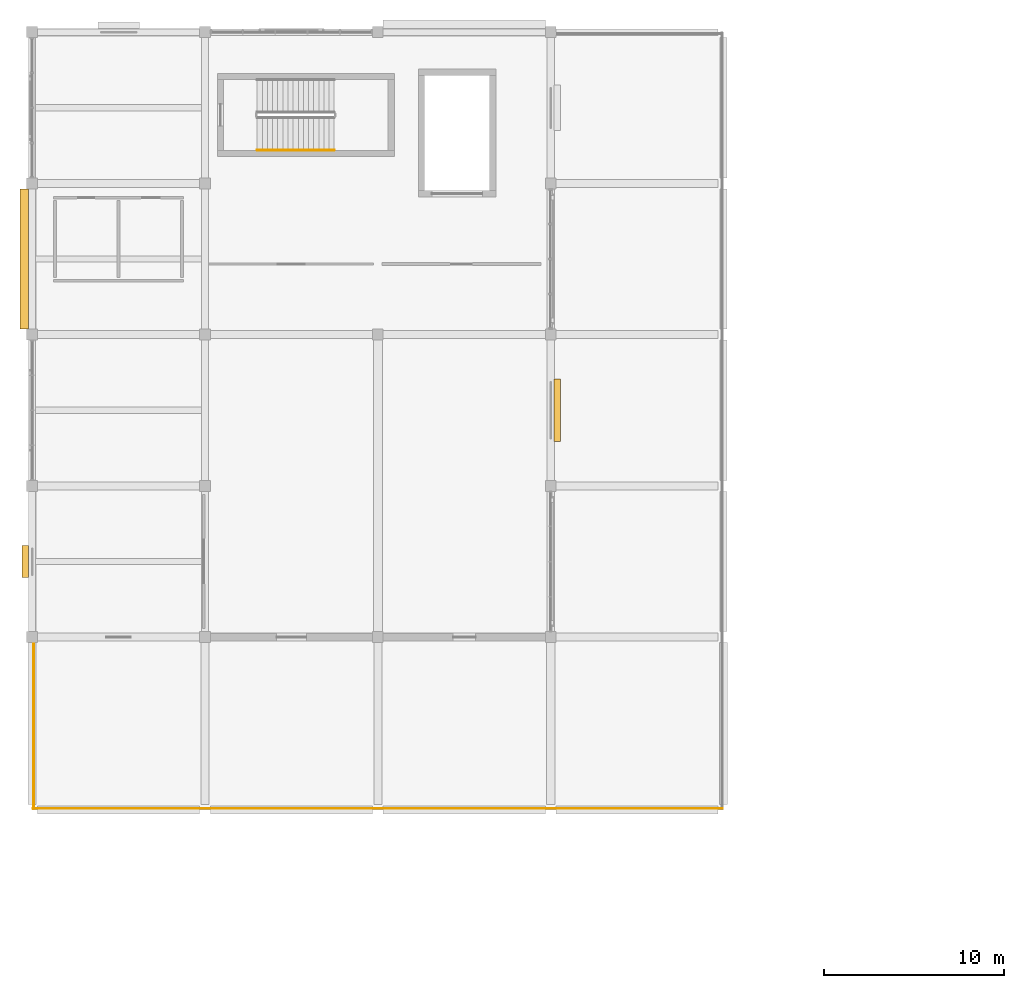
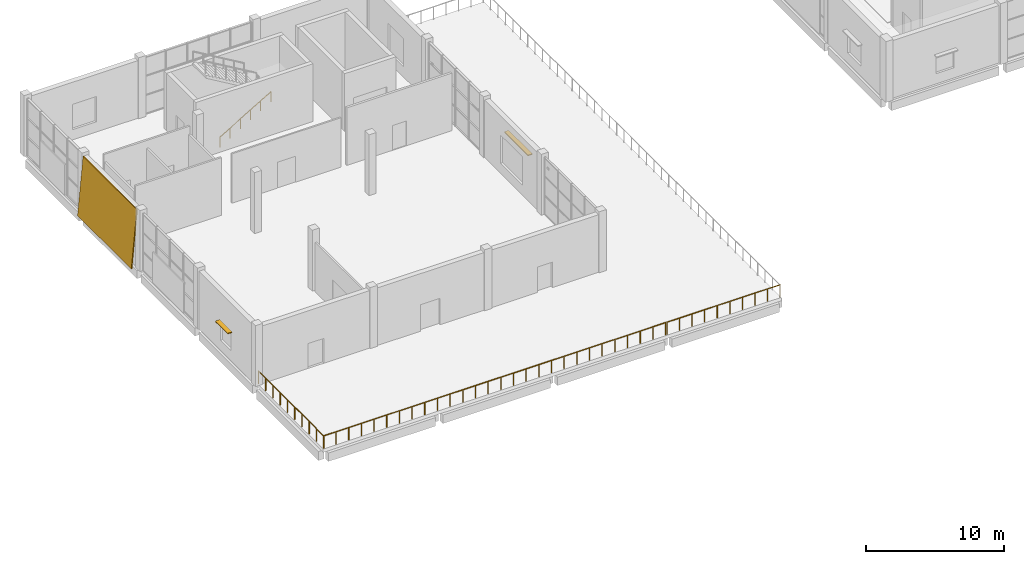
# One storey, part 61 of 72: 4 railings, 2 shading devices, 1 covering.
"""IFC4 building model written with IfcOpenShell, lengths in metres."""

from ifc_helpers import new_model, si_unit, direction, frame, origin, origin_2d, place, context, subcontext, project, spatial, polyline, rectangle, circle, outline, extrude, material, layer, layer_set, type_object, element, save


model = new_model("IFC4")

# Units and contexts
model_context = context("Model", 3, precision=1e-05, world=origin(), true_north=direction((0.0, 1.0)))
body_context = subcontext(model_context, "Body", "Model", "MODEL_VIEW")
ifc_project = project(units=[si_unit("LENGTHUNIT", "METRE"), si_unit("AREAUNIT", "SQUARE_METRE"), si_unit("VOLUMEUNIT", "CUBIC_METRE"), si_unit("PLANEANGLEUNIT", "RADIAN"), si_unit("MASSUNIT", "GRAM", prefix="KILO")], contexts=[model_context])

# Site, building, storey
site_placement = place(None, origin())
site = spatial("IfcSite", under=ifc_project, at=site_placement, CompositionType="ELEMENT")
building_placement = place(site_placement, origin())
building = spatial("IfcBuilding", under=site, at=building_placement, Name="Shalvenor Court Art Gallery", CompositionType="ELEMENT")
storey_placement = place(building_placement, frame((0.0, 0.0, 11.39990234375)))
storey = spatial("IfcBuildingStorey", under=building, at=storey_placement, Name="L02", CompositionType="ELEMENT", Elevation=11.39990234375)

# Covering
ifc_material_1 = material(Name="Honed Jerusalem limestone cladding", Category="masonry")
ifc_layer = layer(ifc_material_1, 0.06494140625, Name="Honed Jerusalem limestone cladding")
ifc_layer_set = layer_set([ifc_layer], Name="Honed Jerusalem limestone cladding")
covering_type = type_object("IfcCoveringType", Name="CLD-02", PredefinedType="CLADDING", material=ifc_layer_set)
covering_placement = place(storey_placement, frame((-0.674072265625, 113.699951171875, 0.0), z_axis=(0.0, 0.0, 1.0), x_axis=(0.0, -1.0, 0.0)))
element("IfcCovering", 1, at=covering_placement, inside=storey, type_object=covering_type, Name="L02 V5 Tapered Limestone Cladding 107", PredefinedType="CLADDING", context=body_context, shape_type="SweptSolid", body=[
    extrude(outline(polyline([(0.0, 0.0), (7.800048828125, 0.0), (7.800048828125, 5.12109375), (0.0, 5.12109375), (0.0, 0.0)])), frame((0.0, 0.0, 0.0), z_axis=(0.0, -0.995884398616, 0.090632580198), x_axis=(1.0, 0.0, 0.0)), (0.0, 0.090632580198, -0.995884398616), 0.080322265625),
])

# Railings
ifc_material_2 = material(Name="Stainless steel and laminated glass balustrade", Category="steel")
railing_type_1 = type_object("IfcRailingType", Name="GR-01", PredefinedType="BALUSTRADE", material=ifc_material_2)
railing_1_placement = place(storey_placement, frame((0.080078125, 79.260009765625, 0.0)))
element("IfcRailing", 2, at=railing_1_placement, inside=storey, type_object=railing_type_1, Name="L02 V5 Terrace Balustrade 51", PredefinedType="BALUSTRADE", context=body_context, shape_type="SweptSolid", body=[
    extrude(circle(Radius=0.02392578125, at=origin_2d()), frame((0.0, 0.0, 1.09619140625), z_axis=(0.0, 1.0, 0.0), x_axis=(-1.0, 0.0, 0.0)), (0.0, 0.0, 1.0), 9.47998046875),
    extrude(circle(Radius=0.02099609375, at=origin_2d()), origin(), (0.0, 0.0, 1.0), 1.072021484375),
    extrude(circle(Radius=0.02099609375, at=origin_2d()), frame((0.0, 1.05322265625, 0.0)), (0.0, 0.0, 1.0), 1.072021484375),
    extrude(circle(Radius=0.02099609375, at=origin_2d()), frame((0.0, 2.106689453125, 0.0)), (0.0, 0.0, 1.0), 1.072021484375),
    extrude(circle(Radius=0.02099609375, at=origin_2d()), frame((0.0, 3.159912109375, 0.0)), (0.0, 0.0, 1.0), 1.072021484375),
    extrude(circle(Radius=0.02099609375, at=origin_2d()), frame((0.0, 4.21337890625, 0.0)), (0.0, 0.0, 1.0), 1.072021484375),
    extrude(circle(Radius=0.02099609375, at=origin_2d()), frame((0.0, 5.2666015625, 0.0)), (0.0, 0.0, 1.0), 1.072021484375),
    extrude(circle(Radius=0.02099609375, at=origin_2d()), frame((0.0, 6.320068359375, 0.0)), (0.0, 0.0, 1.0), 1.072021484375),
    extrude(circle(Radius=0.02099609375, at=origin_2d()), frame((0.0, 7.373291015625, 0.0)), (0.0, 0.0, 1.0), 1.072021484375),
    extrude(circle(Radius=0.02099609375, at=origin_2d()), frame((0.0, 8.4267578125, 0.0)), (0.0, 0.0, 1.0), 1.072021484375),
    extrude(circle(Radius=0.02099609375, at=origin_2d()), frame((0.0, 9.47998046875, 0.0)), (0.0, 0.0, 1.0), 1.072021484375),
])
railing_2_placement = place(storey_placement, frame((38.340087890625, 79.280029296875, 0.0)))
element("IfcRailing", 3, at=railing_2_placement, inside=storey, type_object=railing_type_1, Name="L02 V5 Terrace Balustrade 54", PredefinedType="BALUSTRADE", context=body_context, shape_type="SweptSolid", body=[
    extrude(circle(Radius=0.02392578125, at=origin_2d()), frame((0.0, 0.0, 1.09619140625), z_axis=(-1.0, 0.0, 0.0), x_axis=(0.0, -1.0, 0.0)), (0.0, 0.0, 1.0), 9.47998046875),
    extrude(circle(Radius=0.02099609375, at=origin_2d()), origin(), (0.0, 0.0, 1.0), 1.072021484375),
    extrude(circle(Radius=0.02099609375, at=origin_2d()), frame((-1.05322265625, 0.0, 0.0)), (0.0, 0.0, 1.0), 1.072021484375),
    extrude(circle(Radius=0.02099609375, at=origin_2d()), frame((-2.106689453125, 0.0, 0.0)), (0.0, 0.0, 1.0), 1.072021484375),
    extrude(circle(Radius=0.02099609375, at=origin_2d()), frame((-3.159912109375, 0.0, 0.0)), (0.0, 0.0, 1.0), 1.072021484375),
    extrude(circle(Radius=0.02099609375, at=origin_2d()), frame((-4.21337890625, 0.0, 0.0)), (0.0, 0.0, 1.0), 1.072021484375),
    extrude(circle(Radius=0.02099609375, at=origin_2d()), frame((-5.2666015625, 0.0, 0.0)), (0.0, 0.0, 1.0), 1.072021484375),
    extrude(circle(Radius=0.02099609375, at=origin_2d()), frame((-6.320068359375, 0.0, 0.0)), (0.0, 0.0, 1.0), 1.072021484375),
    extrude(circle(Radius=0.02099609375, at=origin_2d()), frame((-7.373291015625, 0.0, 0.0)), (0.0, 0.0, 1.0), 1.072021484375),
    extrude(circle(Radius=0.02099609375, at=origin_2d()), frame((-8.4267578125, 0.0, 0.0)), (0.0, 0.0, 1.0), 1.072021484375),
    extrude(circle(Radius=0.02099609375, at=origin_2d()), frame((-9.47998046875, 0.0, 0.0)), (0.0, 0.0, 1.0), 1.072021484375),
])
railing_3_placement = place(storey_placement, frame((28.739990234375, 79.280029296875, 0.0)))
element("IfcRailing", 4, at=railing_3_placement, inside=storey, type_object=railing_type_1, Name="L02 V5 Terrace Balustrade 55", PredefinedType="BALUSTRADE", context=body_context, shape_type="SweptSolid", body=[
    extrude(circle(Radius=0.02392578125, at=origin_2d()), frame((0.0, 0.0, 1.09619140625), z_axis=(-1.0, 0.0, 0.0), x_axis=(0.0, -1.0, 0.0)), (0.0, 0.0, 1.0), 28.679931640625),
    extrude(circle(Radius=0.02099609375, at=origin_2d()), origin(), (0.0, 0.0, 1.0), 1.072021484375),
    extrude(circle(Radius=0.02099609375, at=origin_2d()), frame((-1.062255859375, 0.0, 0.0)), (0.0, 0.0, 1.0), 1.072021484375),
    extrude(circle(Radius=0.02099609375, at=origin_2d()), frame((-2.12451171875, 0.0, 0.0)), (0.0, 0.0, 1.0), 1.072021484375),
    extrude(circle(Radius=0.02099609375, at=origin_2d()), frame((-3.186767578125, 0.0, 0.0)), (0.0, 0.0, 1.0), 1.072021484375),
    extrude(circle(Radius=0.02099609375, at=origin_2d()), frame((-4.248779296875, 0.0, 0.0)), (0.0, 0.0, 1.0), 1.072021484375),
    extrude(circle(Radius=0.02099609375, at=origin_2d()), frame((-5.31103515625, 0.0, 0.0)), (0.0, 0.0, 1.0), 1.072021484375),
    extrude(circle(Radius=0.02099609375, at=origin_2d()), frame((-6.373291015625, 0.0, 0.0)), (0.0, 0.0, 1.0), 1.072021484375),
    extrude(circle(Radius=0.02099609375, at=origin_2d()), frame((-7.435546875, 0.0, 0.0)), (0.0, 0.0, 1.0), 1.072021484375),
    extrude(circle(Radius=0.02099609375, at=origin_2d()), frame((-8.497802734375, 0.0, 0.0)), (0.0, 0.0, 1.0), 1.072021484375),
    extrude(circle(Radius=0.02099609375, at=origin_2d()), frame((-9.56005859375, 0.0, 0.0)), (0.0, 0.0, 1.0), 1.072021484375),
    extrude(circle(Radius=0.02099609375, at=origin_2d()), frame((-10.622314453125, 0.0, 0.0)), (0.0, 0.0, 1.0), 1.072021484375),
    extrude(circle(Radius=0.02099609375, at=origin_2d()), frame((-11.684326171875, 0.0, 0.0)), (0.0, 0.0, 1.0), 1.072021484375),
    extrude(circle(Radius=0.02099609375, at=origin_2d()), frame((-12.74658203125, 0.0, 0.0)), (0.0, 0.0, 1.0), 1.072021484375),
    extrude(circle(Radius=0.02099609375, at=origin_2d()), frame((-13.808837890625, 0.0, 0.0)), (0.0, 0.0, 1.0), 1.072021484375),
    extrude(circle(Radius=0.02099609375, at=origin_2d()), frame((-14.87109375, 0.0, 0.0)), (0.0, 0.0, 1.0), 1.072021484375),
    extrude(circle(Radius=0.02099609375, at=origin_2d()), frame((-15.933349609375, 0.0, 0.0)), (0.0, 0.0, 1.0), 1.072021484375),
    extrude(circle(Radius=0.02099609375, at=origin_2d()), frame((-16.99560546875, 0.0, 0.0)), (0.0, 0.0, 1.0), 1.072021484375),
    extrude(circle(Radius=0.02099609375, at=origin_2d()), frame((-18.0576171875, 0.0, 0.0)), (0.0, 0.0, 1.0), 1.072021484375),
    extrude(circle(Radius=0.02099609375, at=origin_2d()), frame((-19.119873046875, 0.0, 0.0)), (0.0, 0.0, 1.0), 1.072021484375),
    extrude(circle(Radius=0.02099609375, at=origin_2d()), frame((-20.18212890625, 0.0, 0.0)), (0.0, 0.0, 1.0), 1.072021484375),
    extrude(circle(Radius=0.02099609375, at=origin_2d()), frame((-21.244384765625, 0.0, 0.0)), (0.0, 0.0, 1.0), 1.072021484375),
    extrude(circle(Radius=0.02099609375, at=origin_2d()), frame((-22.306640625, 0.0, 0.0)), (0.0, 0.0, 1.0), 1.072021484375),
    extrude(circle(Radius=0.02099609375, at=origin_2d()), frame((-23.368896484375, 0.0, 0.0)), (0.0, 0.0, 1.0), 1.072021484375),
    extrude(circle(Radius=0.02099609375, at=origin_2d()), frame((-24.43115234375, 0.0, 0.0)), (0.0, 0.0, 1.0), 1.072021484375),
    extrude(circle(Radius=0.02099609375, at=origin_2d()), frame((-25.4931640625, 0.0, 0.0)), (0.0, 0.0, 1.0), 1.072021484375),
    extrude(circle(Radius=0.02099609375, at=origin_2d()), frame((-26.555419921875, 0.0, 0.0)), (0.0, 0.0, 1.0), 1.072021484375),
    extrude(circle(Radius=0.02099609375, at=origin_2d()), frame((-27.61767578125, 0.0, 0.0)), (0.0, 0.0, 1.0), 1.072021484375),
    extrude(circle(Radius=0.02099609375, at=origin_2d()), frame((-28.679931640625, 0.0, 0.0)), (0.0, 0.0, 1.0), 1.072021484375),
])
ifc_material_3 = material(Name="Brushed stainless steel handrail", Category="steel")
railing_type_2 = type_object("IfcRailingType", Name="HR-01", PredefinedType="HANDRAIL", material=ifc_material_3)
railing_4_placement = place(storey_placement, frame((12.5, 115.85009765625, 0.1689453125)))
element("IfcRailing", 5, at=railing_4_placement, inside=storey, type_object=railing_type_2, Name="L02 ST-06 Stair Handrail 1", PredefinedType="HANDRAIL", context=body_context, shape_type="SweptSolid", body=[
    extrude(circle(Radius=0.02392578125, at=origin_2d()), frame((0.0, 0.0, 0.8759765625), z_axis=(0.860470286479, 0.0, 0.509500624227), x_axis=(0.0, 1.0, 0.0)), (0.0, 0.0, 1.0), 4.968017578125),
    extrude(circle(Radius=0.02099609375, at=origin_2d()), origin(), (0.0, 0.0, 1.0), 0.851806640625),
    extrude(circle(Radius=0.02099609375, at=origin_2d()), frame((0.85498046875, 0.0, 0.50634765625)), (0.0, 0.0, 1.0), 0.851806640625),
    extrude(circle(Radius=0.02099609375, at=origin_2d()), frame((1.7099609375, 0.0, 1.012451171875)), (0.0, 0.0, 1.0), 0.851806640625),
    extrude(circle(Radius=0.02099609375, at=origin_2d()), frame((2.56494140625, 0.0, 1.518798828125)), (0.0, 0.0, 1.0), 0.851806640625),
    extrude(circle(Radius=0.02099609375, at=origin_2d()), frame((3.419921875, 0.0, 2.02490234375)), (0.0, 0.0, 1.0), 0.851806640625),
    extrude(circle(Radius=0.02099609375, at=origin_2d()), frame((4.27490234375, 0.0, 2.53125)), (0.0, 0.0, 1.0), 0.851806640625),
])

# Shading devices
ifc_material_4 = material(Name="Dark anodised bronze aluminium louvre", Category="aluminium")
shading_device_type = type_object("IfcShadingDeviceType", Name="SHD-01", PredefinedType="JALOUSIE", material=ifc_material_4)
shading_device_1_placement = place(storey_placement, frame((29.169921875, 101.39990234375, 3.400146484375), z_axis=(0.0, 0.0, 1.0), x_axis=(0.0, -1.0, 0.0)))
element("IfcShadingDevice", 6, at=shading_device_1_placement, inside=storey, type_object=shading_device_type, Name="L02 Koushi Window Sunshade 62", PredefinedType="JALOUSIE", context=body_context, shape_type="SweptSolid", body=[
    extrude(rectangle(XDim=3.449951171875, YDim=0.360107421875, at=origin_2d()), origin(), (0.0, 0.0, 1.0), 0.080078125),
])
shading_device_2_placement = place(storey_placement, frame((-0.3701171875, 93.0, 2.550048828125), z_axis=(0.0, 0.0, 1.0), x_axis=(0.0, 1.0, 0.0)))
element("IfcShadingDevice", 7, at=shading_device_2_placement, inside=storey, type_object=shading_device_type, Name="L02 Koushi Window Sunshade 63", PredefinedType="JALOUSIE", context=body_context, shape_type="SweptSolid", body=[
    extrude(rectangle(XDim=1.800048828125, YDim=0.360107421875, at=origin_2d()), origin(), (0.0, 0.0, 1.0), 0.080078125),
])

save(model, "model.ifc")
